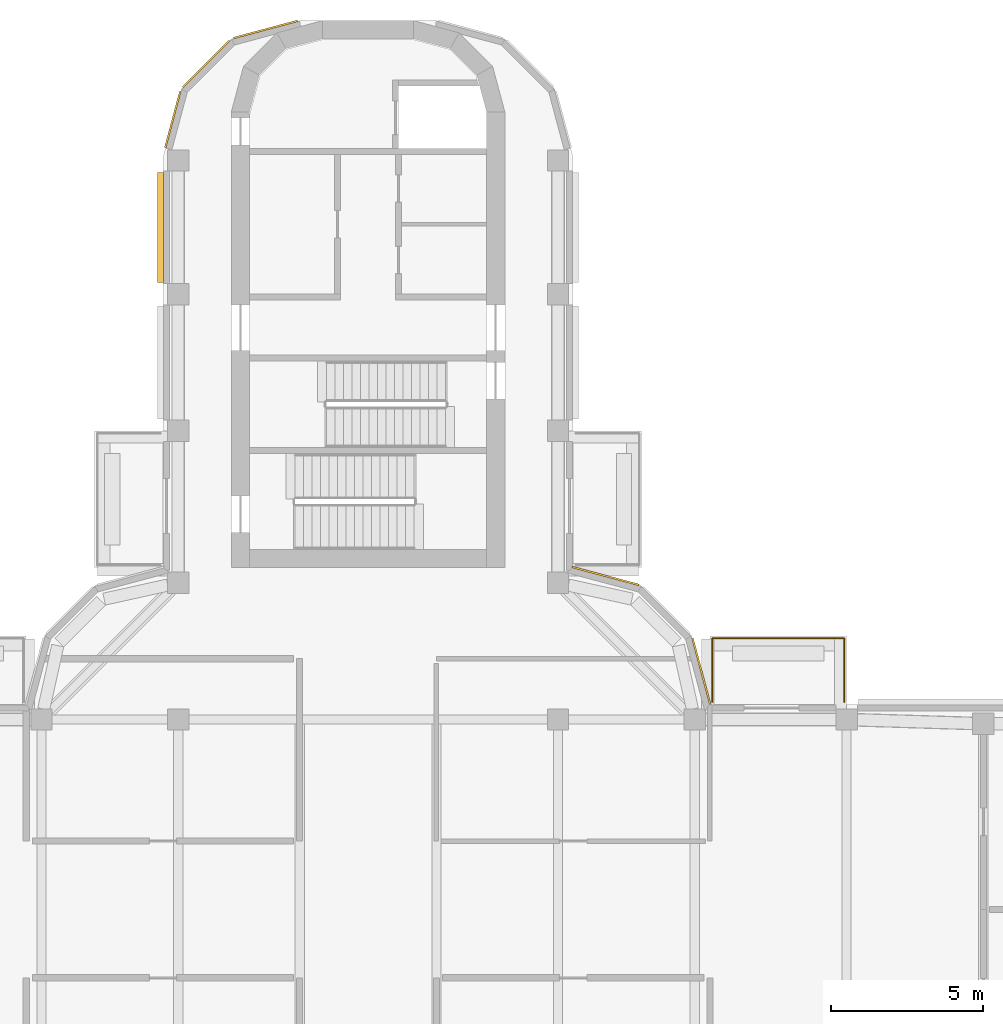
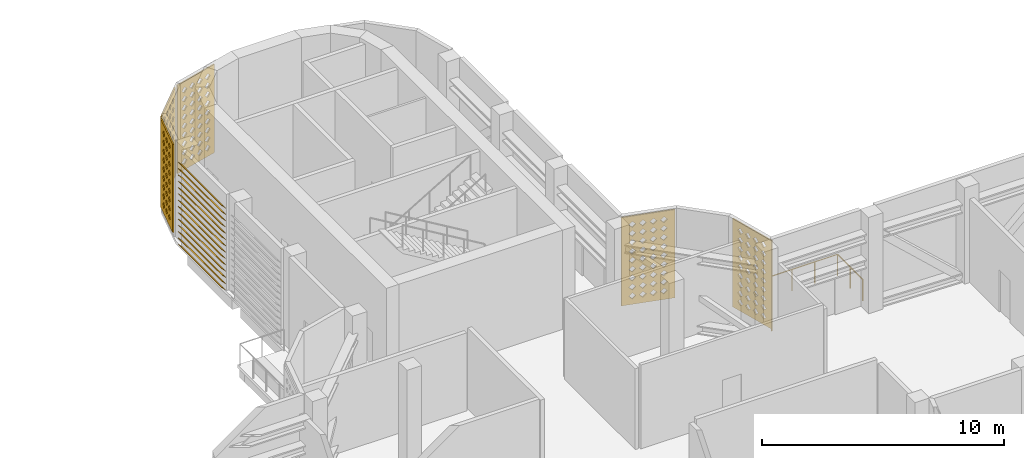
# One storey, part 17 of 20: 5 coverings, 1 railing, 1 shading device.
"""IFC4 building model written with IfcOpenShell, lengths in metres."""

from ifc_helpers import new_model, si_unit, direction, frame, origin, origin_2d, place, context, subcontext, project, spatial, polyline, circle, outline, extrude, source, transform, mapped, material, layer, layer_set, type_object, element, save


model = new_model("IFC4")

# Units and contexts
model_context = context("Model", 3, precision=1e-05, world=origin(), true_north=direction((0.0, 1.0)))
body_context = subcontext(model_context, "Body", "Model", "MODEL_VIEW")
ifc_project = project(units=[si_unit("LENGTHUNIT", "METRE"), si_unit("AREAUNIT", "SQUARE_METRE"), si_unit("VOLUMEUNIT", "CUBIC_METRE"), si_unit("PLANEANGLEUNIT", "RADIAN"), si_unit("MASSUNIT", "GRAM", prefix="KILO")], contexts=[model_context])

# Site, building, storey
site_placement = place(None, origin())
site = spatial("IfcSite", under=ifc_project, at=site_placement, CompositionType="ELEMENT")
building_placement = place(site_placement, origin())
building = spatial("IfcBuilding", under=site, at=building_placement, Name="Zarbagh Exchange Tower", CompositionType="ELEMENT")
storey_placement = place(building_placement, frame((0.0, 0.0, 244.800048828125)))
storey = spatial("IfcBuildingStorey", under=building, at=storey_placement, Name="L60", CompositionType="ELEMENT", Elevation=244.800048828125)

# Railing
ifc_material_1 = material(Name="Stainless steel and laminated glass", Category="steel")
railing_type = type_object("IfcRailingType", Name="Terrace guard, glass balustrade 1.1 m", PredefinedType="GUARDRAIL", material=ifc_material_1)
railing_placement = place(storey_placement, frame((11.330078125, 6.830078125, 0.0)))
element("IfcRailing", 1, at=railing_placement, inside=storey, type_object=railing_type, Name="TG01 terrace guard", PredefinedType="GUARDRAIL", context=body_context, shape_type="SweptSolid", body=[
    extrude(circle(Radius=0.02490234375, at=origin_2d()), frame((0.0, 0.0, 1.0751953125), z_axis=(0.0, 1.0, 0.0), x_axis=(-1.0, 0.0, 0.0)), (0.0, 0.0, 1.0), 2.08984375),
    extrude(circle(Radius=0.02490234375, at=origin_2d()), frame((0.0, 2.08984375, 1.0751953125), z_axis=(1.0, 0.0, 0.0), x_axis=(0.0, 1.0, 0.0)), (0.0, 0.0, 1.0), 4.33984375),
    extrude(circle(Radius=0.02490234375, at=origin_2d()), frame((4.33984375, 2.08984375, 1.0751953125), z_axis=(0.0, -1.0, 0.0), x_axis=(1.0, 0.0, 0.0)), (0.0, 0.0, 1.0), 2.08984375),
    extrude(circle(Radius=0.02490234375, at=origin_2d()), origin(), (0.0, 0.0, 1.0), 1.050048828125),
    extrude(circle(Radius=0.02490234375, at=origin_2d()), frame((0.0, 1.044921875, 0.0)), (0.0, 0.0, 1.0), 1.050048828125),
    extrude(circle(Radius=0.02490234375, at=origin_2d()), frame((0.0, 2.08984375, 0.0)), (0.0, 0.0, 1.0), 1.050048828125),
    extrude(circle(Radius=0.02490234375, at=origin_2d()), frame((1.0849609375, 2.08984375, 0.0)), (0.0, 0.0, 1.0), 1.050048828125),
    extrude(circle(Radius=0.02490234375, at=origin_2d()), frame((2.169921875, 2.08984375, 0.0)), (0.0, 0.0, 1.0), 1.050048828125),
    extrude(circle(Radius=0.02490234375, at=origin_2d()), frame((3.2548828125, 2.08984375, 0.0)), (0.0, 0.0, 1.0), 1.050048828125),
    extrude(circle(Radius=0.02490234375, at=origin_2d()), frame((4.33984375, 2.08984375, 0.0)), (0.0, 0.0, 1.0), 1.050048828125),
    extrude(circle(Radius=0.02490234375, at=origin_2d()), frame((4.33984375, 1.044921875, 0.0)), (0.0, 0.0, 1.0), 1.050048828125),
    extrude(circle(Radius=0.02490234375, at=origin_2d()), frame((4.33984375, 0.0, 0.0)), (0.0, 0.0, 1.0), 1.050048828125),
])

# Coverings
ifc_material_2 = material(Name="Glass-fibre reinforced concrete GFRC C50/60", Category="concrete")
ifc_layer = layer(ifc_material_2, 0.06005859375)
ifc_layer_set = layer_set([ifc_layer], Name="SCREEN jali panel, GFRC")
covering_type = type_object("IfcCoveringType", Name="SCREEN jali panel, GFRC", PredefinedType="CLADDING", material=ifc_layer_set)
shared_shape_1 = source(origin(), body_context, "Body", "SweptSolid", [
    extrude(outline(polyline([(0.0, 0.0), (2.1650390625, 0.0), (2.1650390625, 4.449951171875), (0.0, 4.449951171875), (0.0, 0.0)]), holes=[polyline([(0.257568359375, 0.425048828125), (0.407470703125, 0.27490234375), (0.5576171875, 0.425048828125), (0.407470703125, 0.574951171875), (0.257568359375, 0.425048828125)]), polyline([(0.257568359375, 0.875), (0.407470703125, 0.72509765625), (0.5576171875, 0.875), (0.407470703125, 1.02490234375), (0.257568359375, 0.875)]), polyline([(0.257568359375, 1.324951171875), (0.407470703125, 1.175048828125), (0.5576171875, 1.324951171875), (0.407470703125, 1.47509765625), (0.257568359375, 1.324951171875)]), polyline([(0.257568359375, 1.77490234375), (0.407470703125, 1.625), (0.5576171875, 1.77490234375), (0.407470703125, 1.925048828125), (0.257568359375, 1.77490234375)]), polyline([(0.257568359375, 2.22509765625), (0.407470703125, 2.074951171875), (0.5576171875, 2.22509765625), (0.407470703125, 2.375), (0.257568359375, 2.22509765625)]), polyline([(0.257568359375, 2.675048828125), (0.407470703125, 2.52490234375), (0.5576171875, 2.675048828125), (0.407470703125, 2.824951171875), (0.257568359375, 2.675048828125)]), polyline([(0.257568359375, 3.125), (0.407470703125, 2.97509765625), (0.5576171875, 3.125), (0.407470703125, 3.27490234375), (0.257568359375, 3.125)]), polyline([(0.257568359375, 3.574951171875), (0.407470703125, 3.425048828125), (0.5576171875, 3.574951171875), (0.407470703125, 3.72509765625), (0.257568359375, 3.574951171875)]), polyline([(0.257568359375, 4.02490234375), (0.407470703125, 3.875), (0.5576171875, 4.02490234375), (0.407470703125, 4.175048828125), (0.257568359375, 4.02490234375)]), polyline([(0.70751953125, 0.425048828125), (0.857421875, 0.27490234375), (1.007568359375, 0.425048828125), (0.857421875, 0.574951171875), (0.70751953125, 0.425048828125)]), polyline([(0.70751953125, 0.875), (0.857421875, 0.72509765625), (1.007568359375, 0.875), (0.857421875, 1.02490234375), (0.70751953125, 0.875)]), polyline([(0.70751953125, 1.324951171875), (0.857421875, 1.175048828125), (1.007568359375, 1.324951171875), (0.857421875, 1.47509765625), (0.70751953125, 1.324951171875)]), polyline([(0.70751953125, 1.77490234375), (0.857421875, 1.625), (1.007568359375, 1.77490234375), (0.857421875, 1.925048828125), (0.70751953125, 1.77490234375)]), polyline([(0.70751953125, 2.22509765625), (0.857421875, 2.074951171875), (1.007568359375, 2.22509765625), (0.857421875, 2.375), (0.70751953125, 2.22509765625)]), polyline([(0.70751953125, 2.675048828125), (0.857421875, 2.52490234375), (1.007568359375, 2.675048828125), (0.857421875, 2.824951171875), (0.70751953125, 2.675048828125)]), polyline([(0.70751953125, 3.125), (0.857421875, 2.97509765625), (1.007568359375, 3.125), (0.857421875, 3.27490234375), (0.70751953125, 3.125)]), polyline([(0.70751953125, 3.574951171875), (0.857421875, 3.425048828125), (1.007568359375, 3.574951171875), (0.857421875, 3.72509765625), (0.70751953125, 3.574951171875)]), polyline([(0.70751953125, 4.02490234375), (0.857421875, 3.875), (1.007568359375, 4.02490234375), (0.857421875, 4.175048828125), (0.70751953125, 4.02490234375)]), polyline([(1.157470703125, 0.425048828125), (1.3076171875, 0.27490234375), (1.45751953125, 0.425048828125), (1.3076171875, 0.574951171875), (1.157470703125, 0.425048828125)]), polyline([(1.157470703125, 0.875), (1.3076171875, 0.72509765625), (1.45751953125, 0.875), (1.3076171875, 1.02490234375), (1.157470703125, 0.875)]), polyline([(1.157470703125, 1.324951171875), (1.3076171875, 1.175048828125), (1.45751953125, 1.324951171875), (1.3076171875, 1.47509765625), (1.157470703125, 1.324951171875)]), polyline([(1.157470703125, 1.77490234375), (1.3076171875, 1.625), (1.45751953125, 1.77490234375), (1.3076171875, 1.925048828125), (1.157470703125, 1.77490234375)]), polyline([(1.157470703125, 2.22509765625), (1.3076171875, 2.074951171875), (1.45751953125, 2.22509765625), (1.3076171875, 2.375), (1.157470703125, 2.22509765625)]), polyline([(1.157470703125, 2.675048828125), (1.3076171875, 2.52490234375), (1.45751953125, 2.675048828125), (1.3076171875, 2.824951171875), (1.157470703125, 2.675048828125)]), polyline([(1.157470703125, 3.125), (1.3076171875, 2.97509765625), (1.45751953125, 3.125), (1.3076171875, 3.27490234375), (1.157470703125, 3.125)]), polyline([(1.157470703125, 3.574951171875), (1.3076171875, 3.425048828125), (1.45751953125, 3.574951171875), (1.3076171875, 3.72509765625), (1.157470703125, 3.574951171875)]), polyline([(1.157470703125, 4.02490234375), (1.3076171875, 3.875), (1.45751953125, 4.02490234375), (1.3076171875, 4.175048828125), (1.157470703125, 4.02490234375)]), polyline([(1.607421875, 0.425048828125), (1.757568359375, 0.27490234375), (1.907470703125, 0.425048828125), (1.757568359375, 0.574951171875), (1.607421875, 0.425048828125)]), polyline([(1.607421875, 0.875), (1.757568359375, 0.72509765625), (1.907470703125, 0.875), (1.757568359375, 1.02490234375), (1.607421875, 0.875)]), polyline([(1.607421875, 1.324951171875), (1.757568359375, 1.175048828125), (1.907470703125, 1.324951171875), (1.757568359375, 1.47509765625), (1.607421875, 1.324951171875)]), polyline([(1.607421875, 1.77490234375), (1.757568359375, 1.625), (1.907470703125, 1.77490234375), (1.757568359375, 1.925048828125), (1.607421875, 1.77490234375)]), polyline([(1.607421875, 2.22509765625), (1.757568359375, 2.074951171875), (1.907470703125, 2.22509765625), (1.757568359375, 2.375), (1.607421875, 2.22509765625)]), polyline([(1.607421875, 2.675048828125), (1.757568359375, 2.52490234375), (1.907470703125, 2.675048828125), (1.757568359375, 2.824951171875), (1.607421875, 2.675048828125)]), polyline([(1.607421875, 3.125), (1.757568359375, 2.97509765625), (1.907470703125, 3.125), (1.757568359375, 3.27490234375), (1.607421875, 3.125)]), polyline([(1.607421875, 3.574951171875), (1.757568359375, 3.425048828125), (1.907470703125, 3.574951171875), (1.757568359375, 3.72509765625), (1.607421875, 3.574951171875)]), polyline([(1.607421875, 4.02490234375), (1.757568359375, 3.875), (1.907470703125, 4.02490234375), (1.757568359375, 4.175048828125), (1.607421875, 4.02490234375)])]), origin(), (0.0, 0.0, 1.0), 0.06005859375),
])
placement = place(storey_placement, origin())
element("IfcCovering", 2, at=placement, inside=storey, type_object=covering_type, Name="JS73 jali screen", PredefinedType="CLADDING", context=body_context, shape_type="MappedRepresentation", body=[
    mapped(shared_shape_1, transform((-4.5439453125, 28.574951171875, 0.199951171875), x_axis=(-0.707106781187, -0.707106781187, 0.0), y_axis=(0.0, 0.0, 1.0), z_axis=(-0.707106781187, 0.707106781187, 0.0))),
])
shared_shape_2 = source(origin(), body_context, "Body", "SweptSolid", [
    extrude(outline(polyline([(0.0, 0.0), (2.181396484375, 0.0), (2.181396484375, 4.449951171875), (0.0, 4.449951171875), (0.0, 0.0)]), holes=[polyline([(0.265625, 0.425048828125), (0.415771484375, 0.27490234375), (0.565673828125, 0.425048828125), (0.415771484375, 0.574951171875), (0.265625, 0.425048828125)]), polyline([(0.265625, 0.875), (0.415771484375, 0.72509765625), (0.565673828125, 0.875), (0.415771484375, 1.02490234375), (0.265625, 0.875)]), polyline([(0.265625, 1.324951171875), (0.415771484375, 1.175048828125), (0.565673828125, 1.324951171875), (0.415771484375, 1.47509765625), (0.265625, 1.324951171875)]), polyline([(0.265625, 1.77490234375), (0.415771484375, 1.625), (0.565673828125, 1.77490234375), (0.415771484375, 1.925048828125), (0.265625, 1.77490234375)]), polyline([(0.265625, 2.22509765625), (0.415771484375, 2.074951171875), (0.565673828125, 2.22509765625), (0.415771484375, 2.375), (0.265625, 2.22509765625)]), polyline([(0.265625, 2.675048828125), (0.415771484375, 2.52490234375), (0.565673828125, 2.675048828125), (0.415771484375, 2.824951171875), (0.265625, 2.675048828125)]), polyline([(0.265625, 3.125), (0.415771484375, 2.97509765625), (0.565673828125, 3.125), (0.415771484375, 3.27490234375), (0.265625, 3.125)]), polyline([(0.265625, 3.574951171875), (0.415771484375, 3.425048828125), (0.565673828125, 3.574951171875), (0.415771484375, 3.72509765625), (0.265625, 3.574951171875)]), polyline([(0.265625, 4.02490234375), (0.415771484375, 3.875), (0.565673828125, 4.02490234375), (0.415771484375, 4.175048828125), (0.265625, 4.02490234375)]), polyline([(0.7158203125, 0.425048828125), (0.86572265625, 0.27490234375), (1.015625, 0.425048828125), (0.86572265625, 0.574951171875), (0.7158203125, 0.425048828125)]), polyline([(0.7158203125, 0.875), (0.86572265625, 0.72509765625), (1.015625, 0.875), (0.86572265625, 1.02490234375), (0.7158203125, 0.875)]), polyline([(0.7158203125, 1.324951171875), (0.86572265625, 1.175048828125), (1.015625, 1.324951171875), (0.86572265625, 1.47509765625), (0.7158203125, 1.324951171875)]), polyline([(0.7158203125, 1.77490234375), (0.86572265625, 1.625), (1.015625, 1.77490234375), (0.86572265625, 1.925048828125), (0.7158203125, 1.77490234375)]), polyline([(0.7158203125, 2.22509765625), (0.86572265625, 2.074951171875), (1.015625, 2.22509765625), (0.86572265625, 2.375), (0.7158203125, 2.22509765625)]), polyline([(0.7158203125, 2.675048828125), (0.86572265625, 2.52490234375), (1.015625, 2.675048828125), (0.86572265625, 2.824951171875), (0.7158203125, 2.675048828125)]), polyline([(0.7158203125, 3.125), (0.86572265625, 2.97509765625), (1.015625, 3.125), (0.86572265625, 3.27490234375), (0.7158203125, 3.125)]), polyline([(0.7158203125, 3.574951171875), (0.86572265625, 3.425048828125), (1.015625, 3.574951171875), (0.86572265625, 3.72509765625), (0.7158203125, 3.574951171875)]), polyline([(0.7158203125, 4.02490234375), (0.86572265625, 3.875), (1.015625, 4.02490234375), (0.86572265625, 4.175048828125), (0.7158203125, 4.02490234375)]), polyline([(1.165771484375, 0.425048828125), (1.315673828125, 0.27490234375), (1.4658203125, 0.425048828125), (1.315673828125, 0.574951171875), (1.165771484375, 0.425048828125)]), polyline([(1.165771484375, 0.875), (1.315673828125, 0.72509765625), (1.4658203125, 0.875), (1.315673828125, 1.02490234375), (1.165771484375, 0.875)]), polyline([(1.165771484375, 1.324951171875), (1.315673828125, 1.175048828125), (1.4658203125, 1.324951171875), (1.315673828125, 1.47509765625), (1.165771484375, 1.324951171875)]), polyline([(1.165771484375, 1.77490234375), (1.315673828125, 1.625), (1.4658203125, 1.77490234375), (1.315673828125, 1.925048828125), (1.165771484375, 1.77490234375)]), polyline([(1.165771484375, 2.22509765625), (1.315673828125, 2.074951171875), (1.4658203125, 2.22509765625), (1.315673828125, 2.375), (1.165771484375, 2.22509765625)]), polyline([(1.165771484375, 2.675048828125), (1.315673828125, 2.52490234375), (1.4658203125, 2.675048828125), (1.315673828125, 2.824951171875), (1.165771484375, 2.675048828125)]), polyline([(1.165771484375, 3.125), (1.315673828125, 2.97509765625), (1.4658203125, 3.125), (1.315673828125, 3.27490234375), (1.165771484375, 3.125)]), polyline([(1.165771484375, 3.574951171875), (1.315673828125, 3.425048828125), (1.4658203125, 3.574951171875), (1.315673828125, 3.72509765625), (1.165771484375, 3.574951171875)]), polyline([(1.165771484375, 4.02490234375), (1.315673828125, 3.875), (1.4658203125, 4.02490234375), (1.315673828125, 4.175048828125), (1.165771484375, 4.02490234375)]), polyline([(1.61572265625, 0.425048828125), (1.765625, 0.27490234375), (1.915771484375, 0.425048828125), (1.765625, 0.574951171875), (1.61572265625, 0.425048828125)]), polyline([(1.61572265625, 0.875), (1.765625, 0.72509765625), (1.915771484375, 0.875), (1.765625, 1.02490234375), (1.61572265625, 0.875)]), polyline([(1.61572265625, 1.324951171875), (1.765625, 1.175048828125), (1.915771484375, 1.324951171875), (1.765625, 1.47509765625), (1.61572265625, 1.324951171875)]), polyline([(1.61572265625, 1.77490234375), (1.765625, 1.625), (1.915771484375, 1.77490234375), (1.765625, 1.925048828125), (1.61572265625, 1.77490234375)]), polyline([(1.61572265625, 2.22509765625), (1.765625, 2.074951171875), (1.915771484375, 2.22509765625), (1.765625, 2.375), (1.61572265625, 2.22509765625)]), polyline([(1.61572265625, 2.675048828125), (1.765625, 2.52490234375), (1.915771484375, 2.675048828125), (1.765625, 2.824951171875), (1.61572265625, 2.675048828125)]), polyline([(1.61572265625, 3.125), (1.765625, 2.97509765625), (1.915771484375, 3.125), (1.765625, 3.27490234375), (1.61572265625, 3.125)]), polyline([(1.61572265625, 3.574951171875), (1.765625, 3.425048828125), (1.915771484375, 3.574951171875), (1.765625, 3.72509765625), (1.61572265625, 3.574951171875)]), polyline([(1.61572265625, 4.02490234375), (1.765625, 3.875), (1.915771484375, 4.02490234375), (1.765625, 4.175048828125), (1.61572265625, 4.02490234375)])]), origin(), (0.0, 0.0, 1.0), 0.06005859375),
])
element("IfcCovering", 3, at=placement, inside=storey, type_object=covering_type, Name="JS72 jali screen", PredefinedType="CLADDING", context=body_context, shape_type="MappedRepresentation", body=[
    mapped(shared_shape_2, transform((-2.308349609375, 29.213623046875, 0.199951171875), x_axis=(-0.965924215207, -0.258825057666, 0.0), y_axis=(0.0, 0.0, 1.0), z_axis=(-0.258825057666, 0.965924215207, 0.0))),
])

# Shading device
ifc_material_3 = material(Name="Anodised aluminium", Category="aluminium")
shading_device_type = type_object("IfcShadingDeviceType", Name="LOUVRE plant louvre, fixed blades", PredefinedType="USERDEFINED", material=ifc_material_3)
shared_shape_3 = source(origin(), body_context, "Body", "SweptSolid", [
    extrude(outline(polyline([(0.0, 0.199951171875), (0.199951171875, 0.0), (0.199951171875, -0.02001953125), (0.0, 0.179931640625), (0.0, 0.199951171875)])), origin(), (0.0, 0.0, 1.0), 3.6201171875),
])
element("IfcShadingDevice", 4, at=placement, inside=storey, type_object=shading_device_type, Name="LV18 plant louvre", ObjectType="LOUVRE", PredefinedType="USERDEFINED", context=body_context, shape_type="MappedRepresentation", body=[
    mapped(shared_shape_3, transform((-6.72998046875, 24.260009765625, 0.199951171875), x_axis=(-1.0, 0.0, 0.0), y_axis=(0.0, 0.0, -1.0), z_axis=(0.0, -1.0, 0.0))),
    mapped(shared_shape_3, transform((-6.72998046875, 24.260009765625, 0.517822265625), x_axis=(-1.0, 0.0, 0.0), y_axis=(0.0, 0.0, -1.0), z_axis=(0.0, -1.0, 0.0))),
    mapped(shared_shape_3, transform((-6.72998046875, 24.260009765625, 0.835693359375), x_axis=(-1.0, 0.0, 0.0), y_axis=(0.0, 0.0, -1.0), z_axis=(0.0, -1.0, 0.0))),
    mapped(shared_shape_3, transform((-6.72998046875, 24.260009765625, 1.153564453125), x_axis=(-1.0, 0.0, 0.0), y_axis=(0.0, 0.0, -1.0), z_axis=(0.0, -1.0, 0.0))),
    mapped(shared_shape_3, transform((-6.72998046875, 24.260009765625, 1.471435546875), x_axis=(-1.0, 0.0, 0.0), y_axis=(0.0, 0.0, -1.0), z_axis=(0.0, -1.0, 0.0))),
    mapped(shared_shape_3, transform((-6.72998046875, 24.260009765625, 1.789306640625), x_axis=(-1.0, 0.0, 0.0), y_axis=(0.0, 0.0, -1.0), z_axis=(0.0, -1.0, 0.0))),
    mapped(shared_shape_3, transform((-6.72998046875, 24.260009765625, 2.107177734375), x_axis=(-1.0, 0.0, 0.0), y_axis=(0.0, 0.0, -1.0), z_axis=(0.0, -1.0, 0.0))),
    mapped(shared_shape_3, transform((-6.72998046875, 24.260009765625, 2.425048828125), x_axis=(-1.0, 0.0, 0.0), y_axis=(0.0, 0.0, -1.0), z_axis=(0.0, -1.0, 0.0))),
    mapped(shared_shape_3, transform((-6.72998046875, 24.260009765625, 2.742919921875), x_axis=(-1.0, 0.0, 0.0), y_axis=(0.0, 0.0, -1.0), z_axis=(0.0, -1.0, 0.0))),
    mapped(shared_shape_3, transform((-6.72998046875, 24.260009765625, 3.060546875), x_axis=(-1.0, 0.0, 0.0), y_axis=(0.0, 0.0, -1.0), z_axis=(0.0, -1.0, 0.0))),
    mapped(shared_shape_3, transform((-6.72998046875, 24.260009765625, 3.37841796875), x_axis=(-1.0, 0.0, 0.0), y_axis=(0.0, 0.0, -1.0), z_axis=(0.0, -1.0, 0.0))),
    mapped(shared_shape_3, transform((-6.72998046875, 24.260009765625, 3.6962890625), x_axis=(-1.0, 0.0, 0.0), y_axis=(0.0, 0.0, -1.0), z_axis=(0.0, -1.0, 0.0))),
    mapped(shared_shape_3, transform((-6.72998046875, 24.260009765625, 4.01416015625), x_axis=(-1.0, 0.0, 0.0), y_axis=(0.0, 0.0, -1.0), z_axis=(0.0, -1.0, 0.0))),
    mapped(shared_shape_3, transform((-6.72998046875, 24.260009765625, 4.33203125), x_axis=(-1.0, 0.0, 0.0), y_axis=(0.0, 0.0, -1.0), z_axis=(0.0, -1.0, 0.0))),
])

# Coverings
shared_shape_4 = source(origin(), body_context, "Body", "SweptSolid", [
    extrude(outline(polyline([(0.0, 0.0), (1.914794921875, 0.0), (1.914794921875, 4.449951171875), (0.0, 4.449951171875), (0.0, 0.0)]), holes=[polyline([(0.357421875, 0.425048828125), (0.50732421875, 0.27490234375), (0.657470703125, 0.425048828125), (0.50732421875, 0.574951171875), (0.357421875, 0.425048828125)]), polyline([(0.357421875, 0.875), (0.50732421875, 0.72509765625), (0.657470703125, 0.875), (0.50732421875, 1.02490234375), (0.357421875, 0.875)]), polyline([(0.357421875, 1.324951171875), (0.50732421875, 1.175048828125), (0.657470703125, 1.324951171875), (0.50732421875, 1.47509765625), (0.357421875, 1.324951171875)]), polyline([(0.357421875, 1.77490234375), (0.50732421875, 1.625), (0.657470703125, 1.77490234375), (0.50732421875, 1.925048828125), (0.357421875, 1.77490234375)]), polyline([(0.357421875, 2.22509765625), (0.50732421875, 2.074951171875), (0.657470703125, 2.22509765625), (0.50732421875, 2.375), (0.357421875, 2.22509765625)]), polyline([(0.357421875, 2.675048828125), (0.50732421875, 2.52490234375), (0.657470703125, 2.675048828125), (0.50732421875, 2.824951171875), (0.357421875, 2.675048828125)]), polyline([(0.357421875, 3.125), (0.50732421875, 2.97509765625), (0.657470703125, 3.125), (0.50732421875, 3.27490234375), (0.357421875, 3.125)]), polyline([(0.357421875, 3.574951171875), (0.50732421875, 3.425048828125), (0.657470703125, 3.574951171875), (0.50732421875, 3.72509765625), (0.357421875, 3.574951171875)]), polyline([(0.357421875, 4.02490234375), (0.50732421875, 3.875), (0.657470703125, 4.02490234375), (0.50732421875, 4.175048828125), (0.357421875, 4.02490234375)]), polyline([(0.807373046875, 0.425048828125), (0.95751953125, 0.27490234375), (1.107421875, 0.425048828125), (0.95751953125, 0.574951171875), (0.807373046875, 0.425048828125)]), polyline([(0.807373046875, 0.875), (0.95751953125, 0.72509765625), (1.107421875, 0.875), (0.95751953125, 1.02490234375), (0.807373046875, 0.875)]), polyline([(0.807373046875, 1.324951171875), (0.95751953125, 1.175048828125), (1.107421875, 1.324951171875), (0.95751953125, 1.47509765625), (0.807373046875, 1.324951171875)]), polyline([(0.807373046875, 1.77490234375), (0.95751953125, 1.625), (1.107421875, 1.77490234375), (0.95751953125, 1.925048828125), (0.807373046875, 1.77490234375)]), polyline([(0.807373046875, 2.22509765625), (0.95751953125, 2.074951171875), (1.107421875, 2.22509765625), (0.95751953125, 2.375), (0.807373046875, 2.22509765625)]), polyline([(0.807373046875, 2.675048828125), (0.95751953125, 2.52490234375), (1.107421875, 2.675048828125), (0.95751953125, 2.824951171875), (0.807373046875, 2.675048828125)]), polyline([(0.807373046875, 3.125), (0.95751953125, 2.97509765625), (1.107421875, 3.125), (0.95751953125, 3.27490234375), (0.807373046875, 3.125)]), polyline([(0.807373046875, 3.574951171875), (0.95751953125, 3.425048828125), (1.107421875, 3.574951171875), (0.95751953125, 3.72509765625), (0.807373046875, 3.574951171875)]), polyline([(0.807373046875, 4.02490234375), (0.95751953125, 3.875), (1.107421875, 4.02490234375), (0.95751953125, 4.175048828125), (0.807373046875, 4.02490234375)]), polyline([(1.25732421875, 0.425048828125), (1.407470703125, 0.27490234375), (1.557373046875, 0.425048828125), (1.407470703125, 0.574951171875), (1.25732421875, 0.425048828125)]), polyline([(1.25732421875, 0.875), (1.407470703125, 0.72509765625), (1.557373046875, 0.875), (1.407470703125, 1.02490234375), (1.25732421875, 0.875)]), polyline([(1.25732421875, 1.324951171875), (1.407470703125, 1.175048828125), (1.557373046875, 1.324951171875), (1.407470703125, 1.47509765625), (1.25732421875, 1.324951171875)]), polyline([(1.25732421875, 1.77490234375), (1.407470703125, 1.625), (1.557373046875, 1.77490234375), (1.407470703125, 1.925048828125), (1.25732421875, 1.77490234375)]), polyline([(1.25732421875, 2.22509765625), (1.407470703125, 2.074951171875), (1.557373046875, 2.22509765625), (1.407470703125, 2.375), (1.25732421875, 2.22509765625)]), polyline([(1.25732421875, 2.675048828125), (1.407470703125, 2.52490234375), (1.557373046875, 2.675048828125), (1.407470703125, 2.824951171875), (1.25732421875, 2.675048828125)]), polyline([(1.25732421875, 3.125), (1.407470703125, 2.97509765625), (1.557373046875, 3.125), (1.407470703125, 3.27490234375), (1.25732421875, 3.125)]), polyline([(1.25732421875, 3.574951171875), (1.407470703125, 3.425048828125), (1.557373046875, 3.574951171875), (1.407470703125, 3.72509765625), (1.25732421875, 3.574951171875)]), polyline([(1.25732421875, 4.02490234375), (1.407470703125, 3.875), (1.557373046875, 4.02490234375), (1.407470703125, 4.175048828125), (1.25732421875, 4.02490234375)])]), origin(), (0.0, 0.0, 1.0), 0.06005859375),
])
element("IfcCovering", 5, at=placement, inside=storey, type_object=covering_type, Name="JS74 jali screen", PredefinedType="CLADDING", context=body_context, shape_type="MappedRepresentation", body=[
    mapped(shared_shape_4, transform((-6.14892578125, 26.91552734375, 0.199951171875), x_axis=(-0.258825057666, -0.965924215207, 0.0), y_axis=(0.0, 0.0, 1.0), z_axis=(-0.965924215207, 0.258825057666, 0.0))),
])
shared_shape_5 = source(origin(), body_context, "Body", "SweptSolid", [
    extrude(outline(polyline([(0.0, 0.0), (2.289306640625, 0.0), (2.289306640625, 4.449951171875), (0.0, 4.449951171875), (0.0, 0.0)]), holes=[polyline([(0.319580078125, 0.425048828125), (0.4697265625, 0.27490234375), (0.61962890625, 0.425048828125), (0.4697265625, 0.574951171875), (0.319580078125, 0.425048828125)]), polyline([(0.319580078125, 0.875), (0.4697265625, 0.72509765625), (0.61962890625, 0.875), (0.4697265625, 1.02490234375), (0.319580078125, 0.875)]), polyline([(0.319580078125, 1.324951171875), (0.4697265625, 1.175048828125), (0.61962890625, 1.324951171875), (0.4697265625, 1.47509765625), (0.319580078125, 1.324951171875)]), polyline([(0.319580078125, 1.77490234375), (0.4697265625, 1.625), (0.61962890625, 1.77490234375), (0.4697265625, 1.925048828125), (0.319580078125, 1.77490234375)]), polyline([(0.319580078125, 2.22509765625), (0.4697265625, 2.074951171875), (0.61962890625, 2.22509765625), (0.4697265625, 2.375), (0.319580078125, 2.22509765625)]), polyline([(0.319580078125, 2.675048828125), (0.4697265625, 2.52490234375), (0.61962890625, 2.675048828125), (0.4697265625, 2.824951171875), (0.319580078125, 2.675048828125)]), polyline([(0.319580078125, 3.125), (0.4697265625, 2.97509765625), (0.61962890625, 3.125), (0.4697265625, 3.27490234375), (0.319580078125, 3.125)]), polyline([(0.319580078125, 3.574951171875), (0.4697265625, 3.425048828125), (0.61962890625, 3.574951171875), (0.4697265625, 3.72509765625), (0.319580078125, 3.574951171875)]), polyline([(0.319580078125, 4.02490234375), (0.4697265625, 3.875), (0.61962890625, 4.02490234375), (0.4697265625, 4.175048828125), (0.319580078125, 4.02490234375)]), polyline([(0.76953125, 0.425048828125), (0.919677734375, 0.27490234375), (1.069580078125, 0.425048828125), (0.919677734375, 0.574951171875), (0.76953125, 0.425048828125)]), polyline([(0.76953125, 0.875), (0.919677734375, 0.72509765625), (1.069580078125, 0.875), (0.919677734375, 1.02490234375), (0.76953125, 0.875)]), polyline([(0.76953125, 1.324951171875), (0.919677734375, 1.175048828125), (1.069580078125, 1.324951171875), (0.919677734375, 1.47509765625), (0.76953125, 1.324951171875)]), polyline([(0.76953125, 1.77490234375), (0.919677734375, 1.625), (1.069580078125, 1.77490234375), (0.919677734375, 1.925048828125), (0.76953125, 1.77490234375)]), polyline([(0.76953125, 2.22509765625), (0.919677734375, 2.074951171875), (1.069580078125, 2.22509765625), (0.919677734375, 2.375), (0.76953125, 2.22509765625)]), polyline([(0.76953125, 2.675048828125), (0.919677734375, 2.52490234375), (1.069580078125, 2.675048828125), (0.919677734375, 2.824951171875), (0.76953125, 2.675048828125)]), polyline([(0.76953125, 3.125), (0.919677734375, 2.97509765625), (1.069580078125, 3.125), (0.919677734375, 3.27490234375), (0.76953125, 3.125)]), polyline([(0.76953125, 3.574951171875), (0.919677734375, 3.425048828125), (1.069580078125, 3.574951171875), (0.919677734375, 3.72509765625), (0.76953125, 3.574951171875)]), polyline([(0.76953125, 4.02490234375), (0.919677734375, 3.875), (1.069580078125, 4.02490234375), (0.919677734375, 4.175048828125), (0.76953125, 4.02490234375)]), polyline([(1.2197265625, 0.425048828125), (1.36962890625, 0.27490234375), (1.51953125, 0.425048828125), (1.36962890625, 0.574951171875), (1.2197265625, 0.425048828125)]), polyline([(1.2197265625, 0.875), (1.36962890625, 0.72509765625), (1.51953125, 0.875), (1.36962890625, 1.02490234375), (1.2197265625, 0.875)]), polyline([(1.2197265625, 1.324951171875), (1.36962890625, 1.175048828125), (1.51953125, 1.324951171875), (1.36962890625, 1.47509765625), (1.2197265625, 1.324951171875)]), polyline([(1.2197265625, 1.77490234375), (1.36962890625, 1.625), (1.51953125, 1.77490234375), (1.36962890625, 1.925048828125), (1.2197265625, 1.77490234375)]), polyline([(1.2197265625, 2.22509765625), (1.36962890625, 2.074951171875), (1.51953125, 2.22509765625), (1.36962890625, 2.375), (1.2197265625, 2.22509765625)]), polyline([(1.2197265625, 2.675048828125), (1.36962890625, 2.52490234375), (1.51953125, 2.675048828125), (1.36962890625, 2.824951171875), (1.2197265625, 2.675048828125)]), polyline([(1.2197265625, 3.125), (1.36962890625, 2.97509765625), (1.51953125, 3.125), (1.36962890625, 3.27490234375), (1.2197265625, 3.125)]), polyline([(1.2197265625, 3.574951171875), (1.36962890625, 3.425048828125), (1.51953125, 3.574951171875), (1.36962890625, 3.72509765625), (1.2197265625, 3.574951171875)]), polyline([(1.2197265625, 4.02490234375), (1.36962890625, 3.875), (1.51953125, 4.02490234375), (1.36962890625, 4.175048828125), (1.2197265625, 4.02490234375)]), polyline([(1.669677734375, 0.425048828125), (1.819580078125, 0.27490234375), (1.9697265625, 0.425048828125), (1.819580078125, 0.574951171875), (1.669677734375, 0.425048828125)]), polyline([(1.669677734375, 0.875), (1.819580078125, 0.72509765625), (1.9697265625, 0.875), (1.819580078125, 1.02490234375), (1.669677734375, 0.875)]), polyline([(1.669677734375, 1.324951171875), (1.819580078125, 1.175048828125), (1.9697265625, 1.324951171875), (1.819580078125, 1.47509765625), (1.669677734375, 1.324951171875)]), polyline([(1.669677734375, 1.77490234375), (1.819580078125, 1.625), (1.9697265625, 1.77490234375), (1.819580078125, 1.925048828125), (1.669677734375, 1.77490234375)]), polyline([(1.669677734375, 2.22509765625), (1.819580078125, 2.074951171875), (1.9697265625, 2.22509765625), (1.819580078125, 2.375), (1.669677734375, 2.22509765625)]), polyline([(1.669677734375, 2.675048828125), (1.819580078125, 2.52490234375), (1.9697265625, 2.675048828125), (1.819580078125, 2.824951171875), (1.669677734375, 2.675048828125)]), polyline([(1.669677734375, 3.125), (1.819580078125, 2.97509765625), (1.9697265625, 3.125), (1.819580078125, 3.27490234375), (1.669677734375, 3.125)]), polyline([(1.669677734375, 3.574951171875), (1.819580078125, 3.425048828125), (1.9697265625, 3.574951171875), (1.819580078125, 3.72509765625), (1.669677734375, 3.574951171875)]), polyline([(1.669677734375, 4.02490234375), (1.819580078125, 3.875), (1.9697265625, 4.02490234375), (1.819580078125, 4.175048828125), (1.669677734375, 4.02490234375)])]), origin(), (0.0, 0.0, 1.0), 0.06005859375),
])
element("IfcCovering", 6, at=placement, inside=storey, type_object=covering_type, Name="JS14 jali screen", PredefinedType="CLADDING", context=body_context, shape_type="MappedRepresentation", body=[
    mapped(shared_shape_5, transform((11.241455078125, 6.7041015625, 0.199951171875), x_axis=(-0.258825057666, 0.965924215207, 0.0), y_axis=(0.0, 0.0, 1.0), z_axis=(0.965924215207, 0.258825057666, 0.0))),
])
element("IfcCovering", 7, at=placement, inside=storey, type_object=covering_type, Name="JS16 jali screen", PredefinedType="CLADDING", context=body_context, shape_type="MappedRepresentation", body=[
    mapped(shared_shape_5, transform((8.91552734375, 10.64892578125, 0.199951171875), x_axis=(-0.965924215207, 0.258825057666, 0.0), y_axis=(0.0, 0.0, 1.0), z_axis=(0.258825057666, 0.965924215207, 0.0))),
])

save(model, "model.ifc")
